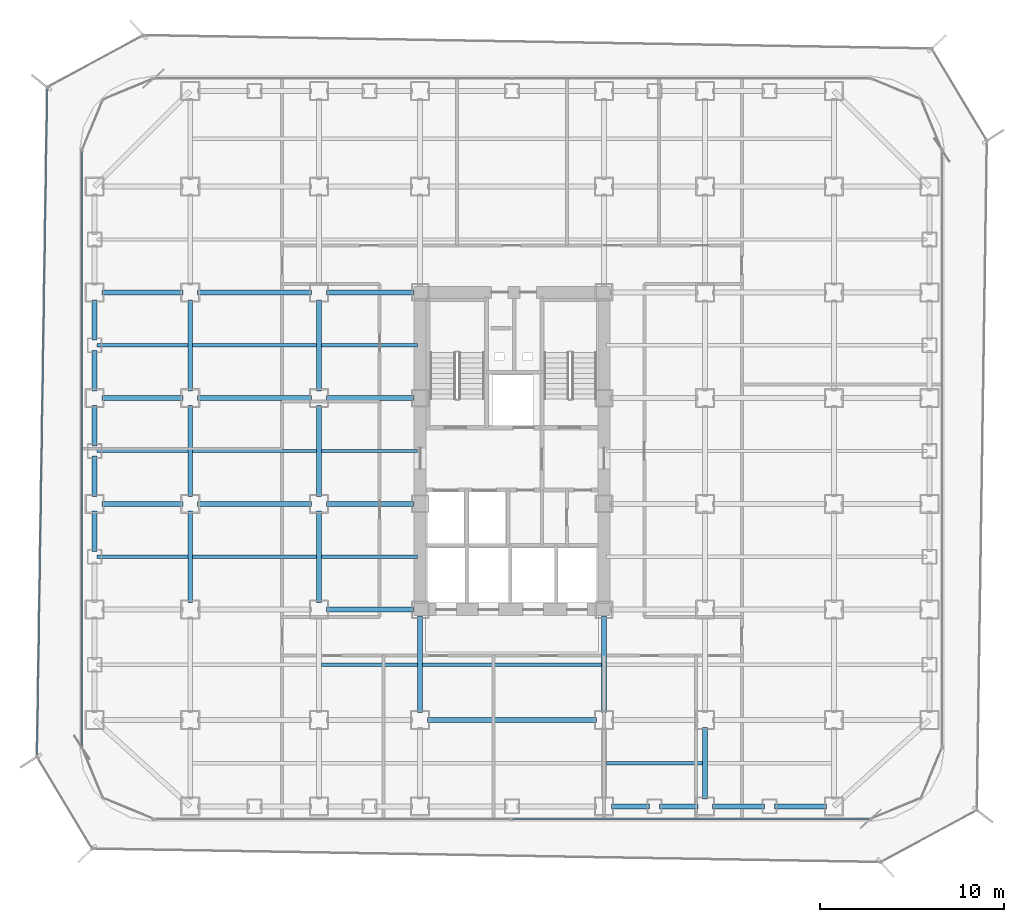
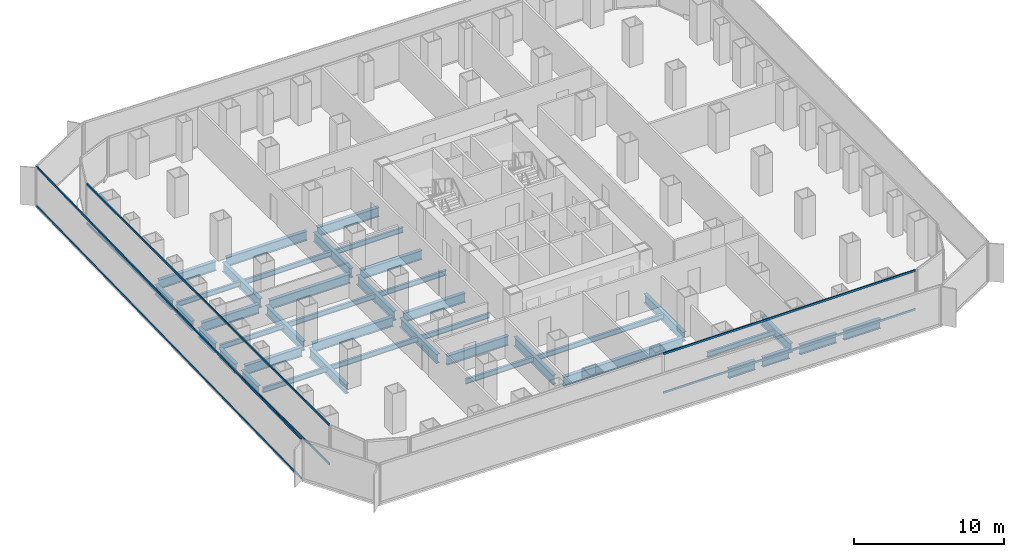
# One storey, part 5 of 22: 41 beams, 6 members, 3 elements without a shape of their own.
"""IFC4 building model written with IfcOpenShell, lengths in metres."""

from ifc_helpers import new_model, si_unit, direction, frame, origin, origin_2d, place, context, subcontext, project, spatial, hollow_rectangle, i_section, extrude, source, transform, mapped, material, layer, layer_set, material_profile, profile_set, type_object, element, aggregate, save


model = new_model("IFC4")

# Units and contexts
model_context = context("Model", 3, precision=1e-05, world=origin(), true_north=direction((0.0, 1.0)))
body_context = subcontext(model_context, "Body", "Model", "MODEL_VIEW")
ifc_project = project(units=[si_unit("LENGTHUNIT", "METRE"), si_unit("AREAUNIT", "SQUARE_METRE"), si_unit("VOLUMEUNIT", "CUBIC_METRE"), si_unit("PLANEANGLEUNIT", "RADIAN"), si_unit("MASSUNIT", "GRAM", prefix="KILO")], contexts=[model_context])

# Site, building, storey
site_placement = place(None, origin())
site = spatial("IfcSite", under=ifc_project, at=site_placement, CompositionType="ELEMENT")
building_placement = place(site_placement, origin())
building = spatial("IfcBuilding", under=site, at=building_placement, Name="Kolveth Station Tower", CompositionType="ELEMENT")
storey_placement = place(building_placement, frame((0.0, 0.0, 72.89990234375)))
storey = spatial("IfcBuildingStorey", under=building, at=storey_placement, Name="L19", CompositionType="ELEMENT", Elevation=72.89990234375)

# Beams
ifc_material_1 = material(Name="Steel S355", Category="steel")
ifc_material_profile_1 = material_profile(ifc_material_1, i_section(OverallWidth=0.26904296875, OverallDepth=0.77490234375, WebThickness=0.01708984375, FlangeThickness=0.0283203125, at=origin_2d()), Name="W760x220")
ifc_profile_set_1 = profile_set([ifc_material_profile_1], Name="Steel S355")
beam_type_1 = type_object("IfcBeamType", Name="Beam_SP1", PredefinedType="SPANDREL", material=ifc_profile_set_1)
shared_shape_1 = source(origin(), body_context, "Body", "SweptSolid", [
    extrude(i_section(OverallWidth=0.26904296875, OverallDepth=0.77490234375, WebThickness=0.01708984375, FlangeThickness=0.0283203125, at=origin_2d()), origin(), (0.0, 0.0, 1.0), 2.820068359375),
])
for number, where, z_axis, x_axis, name in (
    (1, (34.39990234375, 0.800048828125, -0.66748046875), (1.0, 0.0, 0.0), (0.0, 1.0, 0.0), "L19 Perimeter Spandrel BM-L19-PS-9"),
    (2, (37.780029296875, 0.800048828125, -0.66748046875), (1.0, 0.0, 0.0), (0.0, 1.0, 0.0), "L19 Perimeter Spandrel BM-L19-PS-10"),
):
    element("IfcBeam", number, at=place(storey_placement, frame(where, z_axis=z_axis, x_axis=x_axis)), inside=storey, type_object=beam_type_1, Name=name, PredefinedType="SPANDREL", context=body_context, shape_type="MappedRepresentation", body=[
        mapped(shared_shape_1, transform((0.0, 0.0, 0.0), x_axis=(1.0, 0.0, 0.0), y_axis=(0.0, 1.0, 0.0), z_axis=(0.0, 0.0, 1.0), scale=1.0)),
    ])
shared_shape_2 = source(origin(), body_context, "Body", "SweptSolid", [
    extrude(i_section(OverallWidth=0.26904296875, OverallDepth=0.77490234375, WebThickness=0.01708984375, FlangeThickness=0.0283203125, at=origin_2d()), origin(), (0.0, 0.0, 1.0), 2.070068359375),
])
for number, where, z_axis, x_axis, name in (
    (3, (28.89990234375, 0.800048828125, -0.66748046875), (1.0, 0.0, 0.0), (0.0, 1.0, 0.0), "L19 Perimeter Spandrel BM-L19-PS-7"),
    (4, (31.530029296875, 0.800048828125, -0.66748046875), (1.0, 0.0, 0.0), (0.0, 1.0, 0.0), "L19 Perimeter Spandrel BM-L19-PS-8"),
):
    element("IfcBeam", number, at=place(storey_placement, frame(where, z_axis=z_axis, x_axis=x_axis)), inside=storey, type_object=beam_type_1, Name=name, PredefinedType="SPANDREL", context=body_context, shape_type="MappedRepresentation", body=[
        mapped(shared_shape_2, transform((0.0, 0.0, 0.0), x_axis=(1.0, 0.0, 0.0), y_axis=(0.0, 1.0, 0.0), z_axis=(0.0, 0.0, 1.0), scale=1.0)),
    ])
shared_shape_3 = source(origin(), body_context, "Body", "SweptSolid", [
    extrude(i_section(OverallWidth=0.26904296875, OverallDepth=0.77490234375, WebThickness=0.01708984375, FlangeThickness=0.0283203125, at=origin_2d()), origin(), (0.0, 0.0, 1.0), 2.2001953125),
])
for number, where, z_axis, x_axis, name in (
    (5, (0.800048828125, 20.39990234375, -0.66748046875), (0.0, 1.0, 0.0), (-1.0, 0.0, 0.0), "L19 Perimeter Spandrel BM-L19-PW-6"),
    (6, (0.800048828125, 23.39990234375, -0.66748046875), (0.0, 1.0, 0.0), (-1.0, 0.0, 0.0), "L19 Perimeter Spandrel BM-L19-PW-7"),
):
    element("IfcBeam", number, at=place(storey_placement, frame(where, z_axis=z_axis, x_axis=x_axis)), inside=storey, type_object=beam_type_1, Name=name, PredefinedType="SPANDREL", context=body_context, shape_type="MappedRepresentation", body=[
        mapped(shared_shape_3, transform((0.0, 0.0, 0.0), x_axis=(1.0, 0.0, 0.0), y_axis=(0.0, 1.0, 0.0), z_axis=(0.0, 0.0, 1.0), scale=1.0)),
    ])
shared_shape_4 = source(origin(), body_context, "Body", "SweptSolid", [
    extrude(i_section(OverallWidth=0.26904296875, OverallDepth=0.77490234375, WebThickness=0.01708984375, FlangeThickness=0.0283203125, at=origin_2d()), origin(), (0.0, 0.0, 1.0), 2.190185546875),
])
for number, where, z_axis, x_axis, name in (
    (7, (0.800048828125, 14.659912109375, -0.66748046875), (0.0, 1.0, 0.0), (-1.0, 0.0, 0.0), "L19 Perimeter Spandrel BM-L19-PW-4"),
    (8, (0.800048828125, 17.64990234375, -0.66748046875), (0.0, 1.0, 0.0), (-1.0, 0.0, 0.0), "L19 Perimeter Spandrel BM-L19-PW-5"),
    (9, (0.800048828125, 26.159912109375, -0.66748046875), (0.0, 1.0, 0.0), (-1.0, 0.0, 0.0), "L19 Perimeter Spandrel BM-L19-PW-8"),
):
    element("IfcBeam", number, at=place(storey_placement, frame(where, z_axis=z_axis, x_axis=x_axis)), inside=storey, type_object=beam_type_1, Name=name, PredefinedType="SPANDREL", context=body_context, shape_type="MappedRepresentation", body=[
        mapped(shared_shape_4, transform((0.0, 0.0, 0.0), x_axis=(1.0, 0.0, 0.0), y_axis=(0.0, 1.0, 0.0), z_axis=(0.0, 0.0, 1.0), scale=1.0)),
    ])
ifc_material_profile_2 = material_profile(ifc_material_1, i_section(OverallWidth=0.26708984375, OverallDepth=0.76611328125, WebThickness=0.014892578125, FlangeThickness=0.023681640625, at=origin_2d()), Name="W760x185")
ifc_profile_set_2 = profile_set([ifc_material_profile_2], Name="Steel S355")
beam_type_2 = type_object("IfcBeamType", Name="Beam_B3", PredefinedType="BEAM", material=ifc_profile_set_2)
shared_shape_5 = source(origin(), body_context, "Body", "SweptSolid", [
    extrude(i_section(OverallWidth=0.26708984375, OverallDepth=0.76611328125, WebThickness=0.014892578125, FlangeThickness=0.023681640625, at=origin_2d()), origin(), (0.0, 0.0, 1.0), 4.400146484375),
])
for number, where, z_axis, x_axis, name in (
    (10, (1.199951171875, 17.25, -0.662841796875), (1.0, 0.0, 0.0), (0.0, 1.0, 0.0), "L19 Primary Girder BM-L19-GY172-1"),
    (11, (1.199951171875, 23.0, -0.662841796875), (1.0, 0.0, 0.0), (0.0, 1.0, 0.0), "L19 Primary Girder BM-L19-GY230-1"),
    (12, (1.199951171875, 28.75, -0.662841796875), (1.0, 0.0, 0.0), (0.0, 1.0, 0.0), "L19 Primary Girder BM-L19-GY287-1"),
):
    element("IfcBeam", number, at=place(storey_placement, frame(where, z_axis=z_axis, x_axis=x_axis)), inside=storey, type_object=beam_type_2, Name=name, PredefinedType="BEAM", context=body_context, shape_type="MappedRepresentation", body=[
        mapped(shared_shape_5, transform((0.0, 0.0, 0.0), x_axis=(1.0, 0.0, 0.0), y_axis=(0.0, 1.0, 0.0), z_axis=(0.0, 0.0, 1.0), scale=1.0)),
    ])
shared_shape_6 = source(origin(), body_context, "Body", "SweptSolid", [
    extrude(i_section(OverallWidth=0.26708984375, OverallDepth=0.76611328125, WebThickness=0.014892578125, FlangeThickness=0.023681640625, at=origin_2d()), origin(), (0.0, 0.0, 1.0), 6.2001953125),
])
for number, where, z_axis, x_axis, name in (
    (13, (6.39990234375, 17.25, -0.662841796875), (1.0, 0.0, 0.0), (0.0, 1.0, 0.0), "L19 Primary Girder BM-L19-GY172-2"),
    (14, (6.39990234375, 23.0, -0.662841796875), (1.0, 0.0, 0.0), (0.0, 1.0, 0.0), "L19 Primary Girder BM-L19-GY230-2"),
    (15, (6.39990234375, 28.75, -0.662841796875), (1.0, 0.0, 0.0), (0.0, 1.0, 0.0), "L19 Primary Girder BM-L19-GY287-2"),
):
    element("IfcBeam", number, at=place(storey_placement, frame(where, z_axis=z_axis, x_axis=x_axis)), inside=storey, type_object=beam_type_2, Name=name, PredefinedType="BEAM", context=body_context, shape_type="MappedRepresentation", body=[
        mapped(shared_shape_6, transform((0.0, 0.0, 0.0), x_axis=(1.0, 0.0, 0.0), y_axis=(0.0, 1.0, 0.0), z_axis=(0.0, 0.0, 1.0), scale=1.0)),
    ])
shared_shape_7 = source(origin(), body_context, "Body", "SweptSolid", [
    extrude(i_section(OverallWidth=0.26708984375, OverallDepth=0.76611328125, WebThickness=0.014892578125, FlangeThickness=0.023681640625, at=origin_2d()), origin(), (0.0, 0.0, 1.0), 9.2001953125),
])
beam_1_placement = place(storey_placement, frame((18.89990234375, 5.5, -0.662841796875), z_axis=(1.0, 0.0, 0.0), x_axis=(0.0, 1.0, 0.0)))
element("IfcBeam", 16, at=beam_1_placement, inside=storey, type_object=beam_type_2, Name="L19 Primary Girder BM-L19-GY55-4", PredefinedType="BEAM", context=body_context, shape_type="MappedRepresentation", body=[
    mapped(shared_shape_7, transform((0.0, 0.0, 0.0), x_axis=(1.0, 0.0, 0.0), y_axis=(0.0, 1.0, 0.0), z_axis=(0.0, 0.0, 1.0), scale=1.0)),
])
shared_shape_8 = source(origin(), body_context, "Body", "SweptSolid", [
    extrude(i_section(OverallWidth=0.26708984375, OverallDepth=0.76611328125, WebThickness=0.014892578125, FlangeThickness=0.023681640625, at=origin_2d()), origin(), (0.0, 0.0, 1.0), 4.739990234375),
])
for number, where, z_axis, x_axis, name in (
    (17, (13.39990234375, 11.5, -0.662841796875), (1.0, 0.0, 0.0), (0.0, 1.0, 0.0), "L19 Primary Girder BM-L19-GY115-3"),
    (18, (13.39990234375, 17.25, -0.662841796875), (1.0, 0.0, 0.0), (0.0, 1.0, 0.0), "L19 Primary Girder BM-L19-GY172-3"),
    (19, (13.39990234375, 23.0, -0.662841796875), (1.0, 0.0, 0.0), (0.0, 1.0, 0.0), "L19 Primary Girder BM-L19-GY230-3"),
    (20, (13.39990234375, 28.75, -0.662841796875), (1.0, 0.0, 0.0), (0.0, 1.0, 0.0), "L19 Primary Girder BM-L19-GY287-3"),
):
    element("IfcBeam", number, at=place(storey_placement, frame(where, z_axis=z_axis, x_axis=x_axis)), inside=storey, type_object=beam_type_2, Name=name, PredefinedType="BEAM", context=body_context, shape_type="MappedRepresentation", body=[
        mapped(shared_shape_8, transform((0.0, 0.0, 0.0), x_axis=(1.0, 0.0, 0.0), y_axis=(0.0, 1.0, 0.0), z_axis=(0.0, 0.0, 1.0), scale=1.0)),
    ])
shared_shape_9 = source(origin(), body_context, "Body", "SweptSolid", [
    extrude(i_section(OverallWidth=0.26708984375, OverallDepth=0.76611328125, WebThickness=0.014892578125, FlangeThickness=0.023681640625, at=origin_2d()), origin(), (0.0, 0.0, 1.0), 3.900146484375),
])
beam_2_placement = place(storey_placement, frame((34.0, 1.199951171875, -0.662841796875), z_axis=(0.0, 1.0, 0.0), x_axis=(-1.0, 0.0, 0.0)))
element("IfcBeam", 21, at=beam_2_placement, inside=storey, type_object=beam_type_2, Name="L19 Primary Girder BM-L19-GX340-1", PredefinedType="BEAM", context=body_context, shape_type="MappedRepresentation", body=[
    mapped(shared_shape_9, transform((0.0, 0.0, 0.0), x_axis=(1.0, 0.0, 0.0), y_axis=(0.0, 1.0, 0.0), z_axis=(0.0, 0.0, 1.0), scale=1.0)),
])
shared_shape_10 = source(origin(), body_context, "Body", "SweptSolid", [
    extrude(i_section(OverallWidth=0.26708984375, OverallDepth=0.76611328125, WebThickness=0.014892578125, FlangeThickness=0.023681640625, at=origin_2d()), origin(), (0.0, 0.0, 1.0), 4.9501953125),
])
for number, where, z_axis, x_axis, name in (
    (22, (6.0, 11.89990234375, -0.662841796875), (0.0, 1.0, 0.0), (-1.0, 0.0, 0.0), "L19 Primary Girder BM-L19-GX60-3"),
    (23, (6.0, 17.64990234375, -0.662841796875), (0.0, 1.0, 0.0), (-1.0, 0.0, 0.0), "L19 Primary Girder BM-L19-GX60-4"),
    (24, (6.0, 23.39990234375, -0.662841796875), (0.0, 1.0, 0.0), (-1.0, 0.0, 0.0), "L19 Primary Girder BM-L19-GX60-5"),
    (25, (13.0, 11.89990234375, -0.662841796875), (0.0, 1.0, 0.0), (-1.0, 0.0, 0.0), "L19 Primary Girder BM-L19-GX130-3"),
    (26, (13.0, 17.64990234375, -0.662841796875), (0.0, 1.0, 0.0), (-1.0, 0.0, 0.0), "L19 Primary Girder BM-L19-GX130-4"),
    (27, (13.0, 23.39990234375, -0.662841796875), (0.0, 1.0, 0.0), (-1.0, 0.0, 0.0), "L19 Primary Girder BM-L19-GX130-5"),
):
    element("IfcBeam", number, at=place(storey_placement, frame(where, z_axis=z_axis, x_axis=x_axis)), inside=storey, type_object=beam_type_2, Name=name, PredefinedType="BEAM", context=body_context, shape_type="MappedRepresentation", body=[
        mapped(shared_shape_10, transform((0.0, 0.0, 0.0), x_axis=(1.0, 0.0, 0.0), y_axis=(0.0, 1.0, 0.0), z_axis=(0.0, 0.0, 1.0), scale=1.0)),
    ])
shared_shape_11 = source(origin(), body_context, "Body", "SweptSolid", [
    extrude(i_section(OverallWidth=0.26708984375, OverallDepth=0.76611328125, WebThickness=0.014892578125, FlangeThickness=0.023681640625, at=origin_2d()), origin(), (0.0, 0.0, 1.0), 5.239990234375),
])
for number, where, z_axis, x_axis, name in (
    (28, (18.5, 5.89990234375, -0.662841796875), (0.0, 1.0, 0.0), (-1.0, 0.0, 0.0), "L19 Primary Girder BM-L19-GX185-2"),
    (29, (28.5, 5.89990234375, -0.662841796875), (0.0, 1.0, 0.0), (-1.0, 0.0, 0.0), "L19 Primary Girder BM-L19-GX285-2"),
):
    element("IfcBeam", number, at=place(storey_placement, frame(where, z_axis=z_axis, x_axis=x_axis)), inside=storey, type_object=beam_type_2, Name=name, PredefinedType="BEAM", context=body_context, shape_type="MappedRepresentation", body=[
        mapped(shared_shape_11, transform((0.0, 0.0, 0.0), x_axis=(1.0, 0.0, 0.0), y_axis=(0.0, 1.0, 0.0), z_axis=(0.0, 0.0, 1.0), scale=1.0)),
    ])
ifc_material_profile_3 = material_profile(ifc_material_1, i_section(OverallWidth=0.177978515625, OverallDepth=0.406982421875, WebThickness=0.0078125, FlangeThickness=0.0126953125, at=origin_2d()), Name="W410x60")
ifc_profile_set_3 = profile_set([ifc_material_profile_3], Name="Steel S355")
beam_type_3 = type_object("IfcBeamType", Name="Beam_J1", PredefinedType="JOIST", material=ifc_profile_set_3)
shared_shape_12 = source(origin(), body_context, "Body", "SweptSolid", [
    extrude(i_section(OverallWidth=0.177978515625, OverallDepth=0.406982421875, WebThickness=0.0078125, FlangeThickness=0.0126953125, at=origin_2d()), origin(), (0.0, 0.0, 1.0), 4.935791015625),
])
for number, where, z_axis, x_axis, name in (
    (30, (0.9326171875, 14.375, -0.4833984375), (1.0, 0.0, 0.0), (0.0, 1.0, 0.0), "L19 Secondary Joist JST-L19-1-3"),
    (31, (0.9326171875, 20.125, -0.4833984375), (1.0, 0.0, 0.0), (0.0, 1.0, 0.0), "L19 Secondary Joist JST-L19-1-4"),
    (32, (0.9326171875, 25.875, -0.4833984375), (1.0, 0.0, 0.0), (0.0, 1.0, 0.0), "L19 Secondary Joist JST-L19-1-5"),
):
    element("IfcBeam", number, at=place(storey_placement, frame(where, z_axis=z_axis, x_axis=x_axis)), inside=storey, type_object=beam_type_3, Name=name, PredefinedType="JOIST", context=body_context, shape_type="MappedRepresentation", body=[
        mapped(shared_shape_12, transform((0.0, 0.0, 0.0), x_axis=(1.0, 0.0, 0.0), y_axis=(0.0, 1.0, 0.0), z_axis=(0.0, 0.0, 1.0), scale=1.0)),
    ])
shared_shape_13 = source(origin(), body_context, "Body", "SweptSolid", [
    extrude(i_section(OverallWidth=0.177978515625, OverallDepth=0.406982421875, WebThickness=0.0078125, FlangeThickness=0.0126953125, at=origin_2d()), origin(), (0.0, 0.0, 1.0), 6.73681640625),
])
for number, where, z_axis, x_axis, name in (
    (33, (6.131591796875, 14.375, -0.4833984375), (1.0, 0.0, 0.0), (0.0, 1.0, 0.0), "L19 Secondary Joist JST-L19-2-3"),
    (34, (6.131591796875, 20.125, -0.4833984375), (1.0, 0.0, 0.0), (0.0, 1.0, 0.0), "L19 Secondary Joist JST-L19-2-4"),
    (35, (6.131591796875, 25.875, -0.4833984375), (1.0, 0.0, 0.0), (0.0, 1.0, 0.0), "L19 Secondary Joist JST-L19-2-5"),
):
    element("IfcBeam", number, at=place(storey_placement, frame(where, z_axis=z_axis, x_axis=x_axis)), inside=storey, type_object=beam_type_3, Name=name, PredefinedType="JOIST", context=body_context, shape_type="MappedRepresentation", body=[
        mapped(shared_shape_13, transform((0.0, 0.0, 0.0), x_axis=(1.0, 0.0, 0.0), y_axis=(0.0, 1.0, 0.0), z_axis=(0.0, 0.0, 1.0), scale=1.0)),
    ])
shared_shape_14 = source(origin(), body_context, "Body", "SweptSolid", [
    extrude(i_section(OverallWidth=0.177978515625, OverallDepth=0.406982421875, WebThickness=0.0078125, FlangeThickness=0.0126953125, at=origin_2d()), origin(), (0.0, 0.0, 1.0), 5.23681640625),
])
for number, where, z_axis, x_axis, name in (
    (36, (13.131591796875, 8.5, -0.4833984375), (1.0, 0.0, 0.0), (0.0, 1.0, 0.0), "L19 Secondary Joist JST-L19-3-2"),
    (37, (13.131591796875, 14.375, -0.4833984375), (1.0, 0.0, 0.0), (0.0, 1.0, 0.0), "L19 Secondary Joist JST-L19-3-3"),
    (38, (13.131591796875, 20.125, -0.4833984375), (1.0, 0.0, 0.0), (0.0, 1.0, 0.0), "L19 Secondary Joist JST-L19-3-4"),
    (39, (13.131591796875, 25.875, -0.4833984375), (1.0, 0.0, 0.0), (0.0, 1.0, 0.0), "L19 Secondary Joist JST-L19-3-5"),
    (40, (28.631591796875, 3.14990234375, -0.4833984375), (1.0, 0.0, 0.0), (0.0, 1.0, 0.0), "L19 Secondary Joist JST-L19-5-1"),
):
    element("IfcBeam", number, at=place(storey_placement, frame(where, z_axis=z_axis, x_axis=x_axis)), inside=storey, type_object=beam_type_3, Name=name, PredefinedType="JOIST", context=body_context, shape_type="MappedRepresentation", body=[
        mapped(shared_shape_14, transform((0.0, 0.0, 0.0), x_axis=(1.0, 0.0, 0.0), y_axis=(0.0, 1.0, 0.0), z_axis=(0.0, 0.0, 1.0), scale=1.0)),
    ])
shared_shape_15 = source(origin(), body_context, "Body", "SweptSolid", [
    extrude(i_section(OverallWidth=0.177978515625, OverallDepth=0.406982421875, WebThickness=0.0078125, FlangeThickness=0.0126953125, at=origin_2d()), origin(), (0.0, 0.0, 1.0), 9.73681640625),
])
beam_3_placement = place(storey_placement, frame((18.631591796875, 8.5, -0.4833984375), z_axis=(1.0, 0.0, 0.0), x_axis=(0.0, 1.0, 0.0)))
element("IfcBeam", 41, at=beam_3_placement, inside=storey, type_object=beam_type_3, Name="L19 Secondary Joist JST-L19-4-2", PredefinedType="JOIST", context=body_context, shape_type="MappedRepresentation", body=[
    mapped(shared_shape_15, transform((0.0, 0.0, 0.0), x_axis=(1.0, 0.0, 0.0), y_axis=(0.0, 1.0, 0.0), z_axis=(0.0, 0.0, 1.0), scale=1.0)),
])

# Curtain wall, members
ifc_material_2 = material(Name="Aluminium 6063-T6 and low-E dark glass", Category="aluminium")
ifc_layer_1 = layer(ifc_material_2, 0.179931640625)
ifc_layer_set_1 = layer_set([ifc_layer_1], Name="Aluminium 6063-T6 and low-E dark glass")
curtain_wall_type_1 = type_object("IfcCurtainWallType", Name="CurtainWall_CW-Z1", PredefinedType="NOTDEFINED", material=ifc_layer_set_1)
curtain_wall_1_placement = place(storey_placement, origin())
curtain_wall_1 = element("IfcCurtainWall", 42, at=curtain_wall_1_placement, inside=storey, type_object=curtain_wall_type_1, Name="L19 Inner Thermal Curtain Wall 9", PredefinedType="NOTDEFINED")
ifc_material_3 = material(Name="Black anodized aluminium 6063-T6", Category="aluminium")
ifc_material_profile_4 = material_profile(ifc_material_3, hollow_rectangle(XDim=0.074951171875, YDim=0.159912109375, WallThickness=0.0048828125, at=origin_2d()), Name="ALU-75x160x5")
ifc_profile_set_4 = profile_set([ifc_material_profile_4], Name="Black anodized aluminium 6063-T6")
member_type_1 = type_object("IfcMemberType", Name="Transom_TR1", PredefinedType="USERDEFINED", material=ifc_profile_set_4)
shared_shape_16 = source(origin(), body_context, "Body", "SweptSolid", [
    extrude(hollow_rectangle(XDim=0.074951171875, YDim=0.159912109375, WallThickness=0.0048828125, at=origin_2d()), origin(), (0.0, 0.0, 1.0), 32.35009765625),
])
member_1_placement = place(storey_placement, frame((0.1201171875, 36.425048828125, 0.03759765625), z_axis=(0.0, -1.0, 0.0), x_axis=(1.0, 0.0, 0.0)))
member_1 = element("IfcMember", 43, at=member_1_placement, type_object=member_type_1, Name="CW-Z1 transom 1.1", ObjectType="TRANSOM", PredefinedType="USERDEFINED", context=body_context, shape_type="MappedRepresentation", body=[
    mapped(shared_shape_16, transform((0.0, 0.0, 0.0), x_axis=(1.0, 0.0, 0.0), y_axis=(0.0, 1.0, 0.0), z_axis=(0.0, 0.0, 1.0), scale=1.0)),
])
member_2_placement = place(storey_placement, frame((0.1201171875, 36.425048828125, 3.20263671875), z_axis=(0.0, -1.0, 0.0), x_axis=(1.0, 0.0, 0.0)))
member_2 = element("IfcMember", 44, at=member_2_placement, type_object=member_type_1, Name="CW-Z1 transom 1.2", ObjectType="TRANSOM", PredefinedType="USERDEFINED", context=body_context, shape_type="MappedRepresentation", body=[
    mapped(shared_shape_16, transform((0.0, 0.0, 0.0), x_axis=(1.0, 0.0, 0.0), y_axis=(0.0, 1.0, 0.0), z_axis=(0.0, 0.0, 1.0), scale=1.0)),
])
aggregate(curtain_wall_1, [member_1, member_2])

curtain_wall_2_placement = place(storey_placement, origin())
curtain_wall_2 = element("IfcCurtainWall", 45, at=curtain_wall_2_placement, inside=storey, type_object=curtain_wall_type_1, Name="L19 Inner Thermal Curtain Wall 12", PredefinedType="NOTDEFINED")
shared_shape_17 = source(origin(), body_context, "Body", "SweptSolid", [
    extrude(hollow_rectangle(XDim=0.074951171875, YDim=0.159912109375, WallThickness=0.0048828125, at=origin_2d()), origin(), (0.0, 0.0, 1.0), 19.387451171875),
])
member_3_placement = place(storey_placement, frame((23.53759765625, 0.1201171875, 0.03759765625), z_axis=(1.0, 0.0, 0.0), x_axis=(0.0, 1.0, 0.0)))
member_3 = element("IfcMember", 46, at=member_3_placement, type_object=member_type_1, Name="CW-Z1 transom 2.1", ObjectType="TRANSOM", PredefinedType="USERDEFINED", context=body_context, shape_type="MappedRepresentation", body=[
    mapped(shared_shape_17, transform((0.0, 0.0, 0.0), x_axis=(1.0, 0.0, 0.0), y_axis=(0.0, 1.0, 0.0), z_axis=(0.0, 0.0, 1.0), scale=1.0)),
])
member_4_placement = place(storey_placement, frame((23.53759765625, 0.1201171875, 3.20263671875), z_axis=(1.0, 0.0, 0.0), x_axis=(0.0, 1.0, 0.0)))
member_4 = element("IfcMember", 47, at=member_4_placement, type_object=member_type_1, Name="CW-Z1 transom 2.2", ObjectType="TRANSOM", PredefinedType="USERDEFINED", context=body_context, shape_type="MappedRepresentation", body=[
    mapped(shared_shape_17, transform((0.0, 0.0, 0.0), x_axis=(1.0, 0.0, 0.0), y_axis=(0.0, 1.0, 0.0), z_axis=(0.0, 0.0, 1.0), scale=1.0)),
])
aggregate(curtain_wall_2, [member_3, member_4])

ifc_material_4 = material(Name="Black anodized aluminium 6063-T6 and dark solar glass", Category="aluminium")
ifc_layer_2 = layer(ifc_material_4, 0.159912109375)
ifc_layer_set_2 = layer_set([ifc_layer_2], Name="Black anodized aluminium 6063-T6 and dark solar glass")
curtain_wall_type_2 = type_object("IfcCurtainWallType", Name="OUTER SKIN CW-OS", PredefinedType="NOTDEFINED", material=ifc_layer_set_2)
curtain_wall_3_placement = place(storey_placement, origin())
curtain_wall_3 = element("IfcCurtainWall", 48, at=curtain_wall_3_placement, inside=storey, type_object=curtain_wall_type_2, Name="L19 Outer Ventilated Skin Curtain Wall 6", PredefinedType="NOTDEFINED")
ifc_material_profile_5 = material_profile(ifc_material_3, hollow_rectangle(XDim=0.080078125, YDim=0.14990234375, WallThickness=0.0048828125, at=origin_2d()), Name="ALU-80x150x5")
ifc_profile_set_5 = profile_set([ifc_material_profile_5], Name="Black anodized aluminium 6063-T6")
member_type_2 = type_object("IfcMemberType", Name="Transom_TR-OS", PredefinedType="USERDEFINED", material=ifc_profile_set_5)
shared_shape_18 = source(origin(), body_context, "Body", "SweptSolid", [
    extrude(hollow_rectangle(XDim=0.080078125, YDim=0.14990234375, WallThickness=0.0048828125, at=origin_2d()), origin(), (0.0, 0.0, 1.0), 36.231689453125),
])
member_5_placement = place(storey_placement, frame((-1.7763671875, 39.8154296875, 0.0400390625), z_axis=(-0.015282469839, -0.999883216239, 0.0), x_axis=(0.999883216239, -0.015282469839, 0.0)))
member_5 = element("IfcMember", 49, at=member_5_placement, type_object=member_type_2, Name="CW-OS transom 1.1", ObjectType="TRANSOM", PredefinedType="USERDEFINED", context=body_context, shape_type="MappedRepresentation", body=[
    mapped(shared_shape_18, transform((0.0, 0.0, 0.0), x_axis=(1.0, 0.0, 0.0), y_axis=(0.0, 1.0, 0.0), z_axis=(0.0, 0.0, 1.0), scale=1.0)),
])
member_6_placement = place(storey_placement, frame((-1.7763671875, 39.8154296875, 3.2001953125), z_axis=(-0.015282469839, -0.999883216239, 0.0), x_axis=(0.999883216239, -0.015282469839, 0.0)))
member_6 = element("IfcMember", 50, at=member_6_placement, type_object=member_type_2, Name="CW-OS transom 1.2", ObjectType="TRANSOM", PredefinedType="USERDEFINED", context=body_context, shape_type="MappedRepresentation", body=[
    mapped(shared_shape_18, transform((0.0, 0.0, 0.0), x_axis=(1.0, 0.0, 0.0), y_axis=(0.0, 1.0, 0.0), z_axis=(0.0, 0.0, 1.0), scale=1.0)),
])
aggregate(curtain_wall_3, [member_5, member_6])

save(model, "model.ifc")
